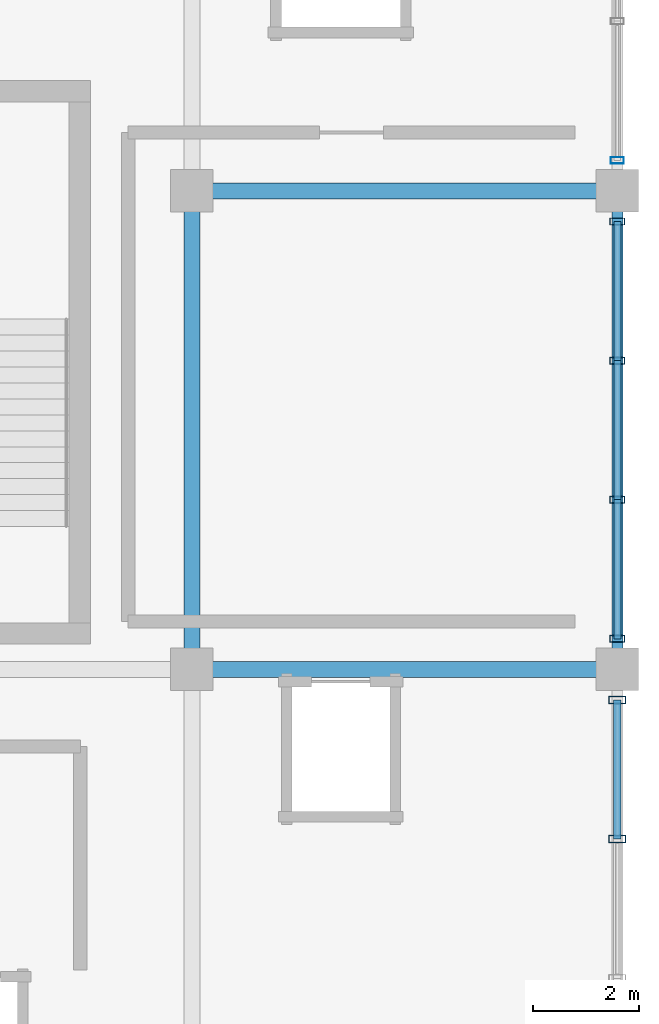
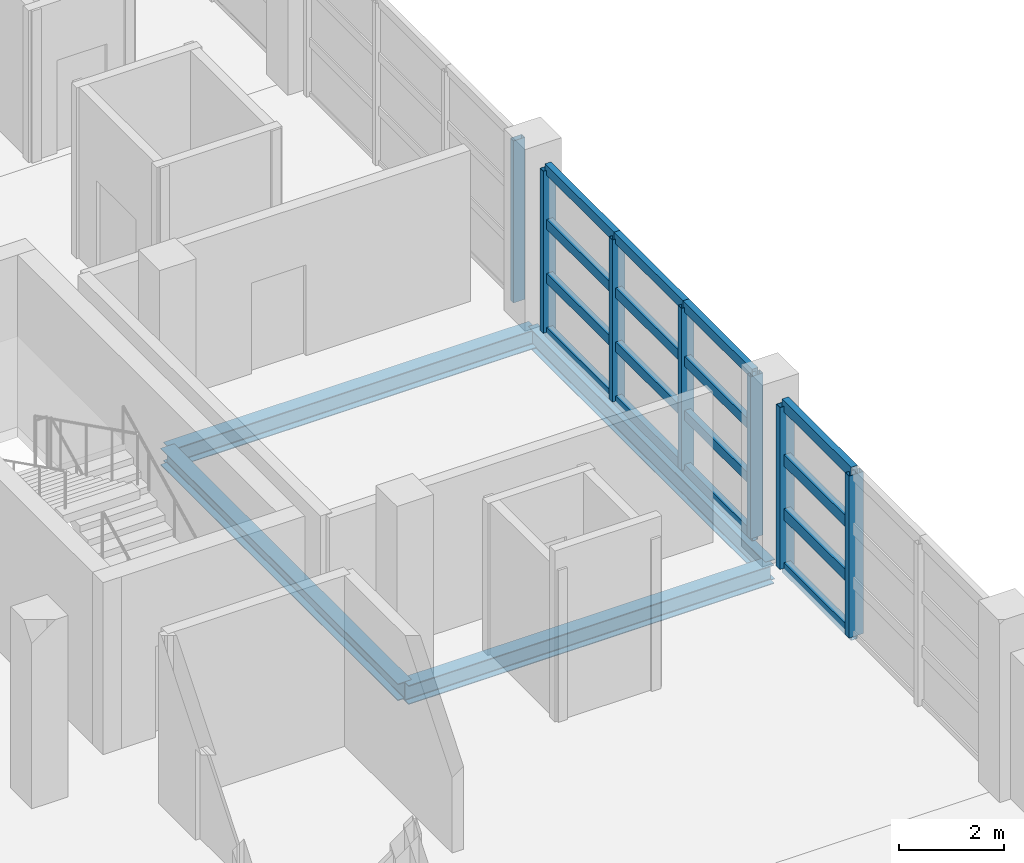
# One storey, part 85 of 136: 23 members, 4 beams, 3 elements without a shape of their own.
"""IFC4 building model written with IfcOpenShell, lengths in metres."""

from ifc_helpers import new_model, si_unit, direction, frame, origin, origin_2d, place, context, subcontext, project, spatial, hollow_rectangle, i_section, extrude, material, material_profile, profile_set, type_object, element, aggregate, save


model = new_model("IFC4")

# Units and contexts
model_context = context("Model", 3, precision=1e-05, world=origin(), true_north=direction((0.0, 1.0)))
body_context = subcontext(model_context, "Body", "Model", "MODEL_VIEW")
ifc_project = project(units=[si_unit("LENGTHUNIT", "METRE"), si_unit("AREAUNIT", "SQUARE_METRE"), si_unit("VOLUMEUNIT", "CUBIC_METRE"), si_unit("PLANEANGLEUNIT", "RADIAN"), si_unit("MASSUNIT", "GRAM", prefix="KILO")], contexts=[model_context])

# Site, building, storey
site_placement = place(None, origin())
site = spatial("IfcSite", under=ifc_project, at=site_placement, CompositionType="ELEMENT")
building_placement = place(site_placement, origin())
building = spatial("IfcBuilding", under=site, at=building_placement, Name="Chuanluo Vaults Station", CompositionType="ELEMENT")
storey_placement = place(building_placement, frame((0.0, 0.0, 6.60009765625)))
storey = spatial("IfcBuildingStorey", under=building, at=storey_placement, Name="L01", CompositionType="ELEMENT", Elevation=6.60009765625)

# Beams
ifc_material_1 = material(Name="Steel Q355C", Category="steel")
ifc_material_profile_1 = material_profile(ifc_material_1, i_section(OverallWidth=0.300048828125, OverallDepth=0.389892578125, WebThickness=0.010009765625, FlangeThickness=0.01611328125, FilletRadius=0.02001953125, at=origin_2d()))
ifc_profile_set_1 = profile_set([ifc_material_profile_1], Name="Steel Q355C")
beam_type_1 = type_object("IfcBeamType", Name="BM-GRD-400", PredefinedType="BEAM", material=ifc_profile_set_1)
beam_1_placement = place(storey_placement, frame((180.0, 85.5, -0.43505859375), z_axis=(0.0, 1.0, 0.0), x_axis=(-1.0, 0.0, 0.0)))
element("IfcBeam", 1, at=beam_1_placement, inside=storey, type_object=beam_type_1, Name="Floor girder BM:GY:L01:0519", PredefinedType="BEAM", context=body_context, shape_type="SweptSolid", body=[
    extrude(i_section(OverallWidth=0.300048828125, OverallDepth=0.389892578125, WebThickness=0.010009765625, FlangeThickness=0.01611328125, FilletRadius=0.02001953125, at=origin_2d()), origin(), (0.0, 0.0, 1.0), 9.0),
])
ifc_material_2 = material(Name="Steel Q355C", Category="steel")
ifc_material_profile_2 = material_profile(ifc_material_2, i_section(OverallWidth=0.300048828125, OverallDepth=0.43994140625, WebThickness=0.010986328125, FlangeThickness=0.01806640625, FilletRadius=0.02001953125, at=origin_2d()))
ifc_profile_set_2 = profile_set([ifc_material_profile_2], Name="Steel Q355C")
beam_type_2 = type_object("IfcBeamType", Name="BM-GRD-450", PredefinedType="USERDEFINED", material=ifc_profile_set_2)
for number, where, z_axis, x_axis, name in (
    (2, (180.0, 85.5, -0.460205078125), (1.0, 0.0, 0.0), (0.0, 1.0, 0.0), "Floor girder BM:GX:L01:0356"),
    (3, (180.0, 94.5, -0.460205078125), (1.0, 0.0, 0.0), (0.0, 1.0, 0.0), "Floor girder BM:GX:L01:0361"),
):
    element("IfcBeam", number, at=place(storey_placement, frame(where, z_axis=z_axis, x_axis=x_axis)), inside=storey, type_object=beam_type_2, Name=name, ObjectType="GIRDER", PredefinedType="USERDEFINED", context=body_context, shape_type="SweptSolid", body=[
        extrude(i_section(OverallWidth=0.300048828125, OverallDepth=0.43994140625, WebThickness=0.010986328125, FlangeThickness=0.01806640625, FilletRadius=0.02001953125, at=origin_2d()), origin(), (0.0, 0.0, 1.0), 8.0),
    ])
ifc_material_3 = material(Name="Steel Q355C", Category="steel")
ifc_material_profile_3 = material_profile(ifc_material_3, i_section(OverallWidth=0.205078125, OverallDepth=0.4599609375, WebThickness=0.009033203125, FlangeThickness=0.013916015625, FilletRadius=0.01611328125, at=origin_2d()))
ifc_profile_set_3 = profile_set([ifc_material_profile_3], Name="Steel Q355C")
beam_type_3 = type_object("IfcBeamType", Name="BM-SPN-450", PredefinedType="SPANDREL", material=ifc_profile_set_3)
beam_2_placement = place(storey_placement, frame((188.0, 85.5, -0.47021484375), z_axis=(0.0, 1.0, 0.0), x_axis=(-1.0, 0.0, 0.0)))
element("IfcBeam", 4, at=beam_2_placement, inside=storey, type_object=beam_type_3, Name="Floor girder BM:GY:L01:0531", PredefinedType="SPANDREL", context=body_context, shape_type="SweptSolid", body=[
    extrude(i_section(OverallWidth=0.205078125, OverallDepth=0.4599609375, WebThickness=0.009033203125, FlangeThickness=0.013916015625, FilletRadius=0.01611328125, at=origin_2d()), origin(), (0.0, 0.0, 1.0), 9.0),
])

# Curtain wall, member
ifc_material_4 = material(Name="Anodised aluminium 6063-T6", Category="aluminium")
curtain_wall_type_1 = type_object("IfcCurtainWallType", Name="CW-SYS-27", PredefinedType="NOTDEFINED", material=ifc_material_4)
curtain_wall_1_placement = place(storey_placement, origin())
curtain_wall_1 = element("IfcCurtainWall", 5, at=curtain_wall_1_placement, inside=storey, type_object=curtain_wall_type_1, Name="Operations L01 facade CW", PredefinedType="NOTDEFINED")
ifc_material_5 = material(Name="Anodised aluminium 6063-T6", Category="aluminium")
ifc_material_profile_4 = material_profile(ifc_material_5, hollow_rectangle(XDim=0.1201171875, YDim=0.25, WallThickness=0.006103515625, at=origin_2d()))
ifc_profile_set_4 = profile_set([ifc_material_profile_4], Name="Anodised aluminium 6063-T6")
member_type_1 = type_object("IfcMemberType", Name="CWM-160", PredefinedType="MULLION", material=ifc_profile_set_4)
member_1_placement = place(storey_placement, frame((188.0, 95.074951171875, 0.0), z_axis=(0.0, 0.0, 1.0), x_axis=(0.0, -1.0, 0.0)))
member_1 = element("IfcMember", 6, at=member_1_placement, type_object=member_type_1, Name="Operations L01 facade CW mullion 4", PredefinedType="MULLION", context=body_context, shape_type="SweptSolid", body=[
    extrude(hollow_rectangle(XDim=0.1201171875, YDim=0.25, WallThickness=0.006103515625, at=origin_2d()), origin(), (0.0, 0.0, 1.0), 3.75),
])
aggregate(curtain_wall_1, [member_1])

# Curtain wall, members
ifc_material_6 = material(Name="Anodised aluminium 6063-T6", Category="aluminium")
curtain_wall_type_2 = type_object("IfcCurtainWallType", Name="CW-SYS-26", PredefinedType="NOTDEFINED", material=ifc_material_6)
curtain_wall_2_placement = place(storey_placement, origin())
curtain_wall_2 = element("IfcCurtainWall", 7, at=curtain_wall_2_placement, inside=storey, type_object=curtain_wall_type_2, Name="Operations L01 facade CW", PredefinedType="NOTDEFINED")
ifc_material_7 = material(Name="Anodised aluminium 6063-T6", Category="aluminium")
ifc_material_profile_5 = material_profile(ifc_material_7, hollow_rectangle(XDim=0.1298828125, YDim=0.280029296875, WallThickness=0.007080078125, at=origin_2d()))
ifc_profile_set_5 = profile_set([ifc_material_profile_5], Name="Anodised aluminium 6063-T6")
member_type_2 = type_object("IfcMemberType", Name="CWM-180", PredefinedType="MULLION", material=ifc_profile_set_5)
member_2_placement = place(storey_placement, frame((188.0, 93.925048828125, 0.0), z_axis=(0.0, 0.0, 1.0), x_axis=(0.0, -1.0, 0.0)))
member_2 = element("IfcMember", 8, at=member_2_placement, type_object=member_type_2, Name="Operations L01 facade CW mullion 1", PredefinedType="MULLION", context=body_context, shape_type="SweptSolid", body=[
    extrude(hollow_rectangle(XDim=0.1298828125, YDim=0.280029296875, WallThickness=0.007080078125, at=origin_2d()), origin(), (0.0, 0.0, 1.0), 3.75),
])
member_3_placement = place(storey_placement, frame((188.0, 91.308349609375, 0.0), z_axis=(0.0, 0.0, 1.0), x_axis=(0.0, -1.0, 0.0)))
member_3 = element("IfcMember", 9, at=member_3_placement, type_object=member_type_2, Name="Operations L01 facade CW mullion 2", PredefinedType="MULLION", context=body_context, shape_type="SweptSolid", body=[
    extrude(hollow_rectangle(XDim=0.1298828125, YDim=0.280029296875, WallThickness=0.007080078125, at=origin_2d()), origin(), (0.0, 0.0, 1.0), 3.75),
])
member_4_placement = place(storey_placement, frame((188.0, 88.691650390625, 0.0), z_axis=(0.0, 0.0, 1.0), x_axis=(0.0, -1.0, 0.0)))
member_4 = element("IfcMember", 10, at=member_4_placement, type_object=member_type_2, Name="Operations L01 facade CW mullion 3", PredefinedType="MULLION", context=body_context, shape_type="SweptSolid", body=[
    extrude(hollow_rectangle(XDim=0.1298828125, YDim=0.280029296875, WallThickness=0.007080078125, at=origin_2d()), origin(), (0.0, 0.0, 1.0), 3.75),
])
member_5_placement = place(storey_placement, frame((188.0, 86.074951171875, 0.0), z_axis=(0.0, 0.0, 1.0), x_axis=(0.0, -1.0, 0.0)))
member_5 = element("IfcMember", 11, at=member_5_placement, type_object=member_type_2, Name="Operations L01 facade CW mullion 4", PredefinedType="MULLION", context=body_context, shape_type="SweptSolid", body=[
    extrude(hollow_rectangle(XDim=0.1298828125, YDim=0.280029296875, WallThickness=0.007080078125, at=origin_2d()), origin(), (0.0, 0.0, 1.0), 3.75),
])

ifc_material_8 = material(Name="Anodised aluminium 6063-T6", Category="aluminium")
curtain_wall_type_3 = type_object("IfcCurtainWallType", Name="CW-SYS-25", PredefinedType="NOTDEFINED", material=ifc_material_8)
curtain_wall_3_placement = place(storey_placement, origin())
curtain_wall_3 = element("IfcCurtainWall", 12, at=curtain_wall_3_placement, inside=storey, type_object=curtain_wall_type_3, Name="Operations L01 facade CW", PredefinedType="NOTDEFINED")
ifc_material_9 = material(Name="Anodised aluminium 6063-T6", Category="aluminium")
ifc_material_profile_6 = material_profile(ifc_material_9, hollow_rectangle(XDim=0.139892578125, YDim=0.320068359375, WallThickness=0.008056640625, at=origin_2d()))
ifc_profile_set_6 = profile_set([ifc_material_profile_6], Name="Anodised aluminium 6063-T6")
member_type_3 = type_object("IfcMemberType", Name="CWM-220", PredefinedType="MULLION", material=ifc_profile_set_6)
member_6_placement = place(storey_placement, frame((188.0, 84.925048828125, 0.0), z_axis=(0.0, 0.0, 1.0), x_axis=(0.0, -1.0, 0.0)))
member_6 = element("IfcMember", 13, at=member_6_placement, type_object=member_type_3, Name="Operations L01 facade CW mullion 1", PredefinedType="MULLION", context=body_context, shape_type="SweptSolid", body=[
    extrude(hollow_rectangle(XDim=0.139892578125, YDim=0.320068359375, WallThickness=0.008056640625, at=origin_2d()), origin(), (0.0, 0.0, 1.0), 3.75),
])
member_7_placement = place(storey_placement, frame((188.0, 82.308349609375, 0.0), z_axis=(0.0, 0.0, 1.0), x_axis=(0.0, -1.0, 0.0)))
member_7 = element("IfcMember", 14, at=member_7_placement, type_object=member_type_3, Name="Operations L01 facade CW mullion 2", PredefinedType="MULLION", context=body_context, shape_type="SweptSolid", body=[
    extrude(hollow_rectangle(XDim=0.139892578125, YDim=0.320068359375, WallThickness=0.008056640625, at=origin_2d()), origin(), (0.0, 0.0, 1.0), 3.75),
])

# Member
ifc_material_10 = material(Name="Anodised aluminium 6063-T6", Category="aluminium")
ifc_material_profile_7 = material_profile(ifc_material_10, hollow_rectangle(XDim=0.1298828125, YDim=0.22998046875, WallThickness=0.006103515625, at=origin_2d()))
ifc_profile_set_7 = profile_set([ifc_material_profile_7], Name="Anodised aluminium 6063-T6")
member_type_4 = type_object("IfcMemberType", Name="CWT-150", PredefinedType="USERDEFINED", material=ifc_profile_set_7)
member_8_placement = place(storey_placement, frame((188.0, 93.925048828125, 0.0), z_axis=(0.0, -1.0, 0.0), x_axis=(1.0, 0.0, 0.0)))
member_8 = element("IfcMember", 15, at=member_8_placement, type_object=member_type_4, Name="Operations L01 facade CW transom 1.1", ObjectType="TRANSOM", PredefinedType="USERDEFINED", context=body_context, shape_type="SweptSolid", body=[
    extrude(hollow_rectangle(XDim=0.1298828125, YDim=0.22998046875, WallThickness=0.006103515625, at=origin_2d()), origin(), (0.0, 0.0, 1.0), 2.61669921875),
])

member_9_placement = place(storey_placement, frame((188.0, 93.925048828125, 1.25), z_axis=(0.0, -1.0, 0.0), x_axis=(1.0, 0.0, 0.0)))
member_9 = element("IfcMember", 16, at=member_9_placement, type_object=member_type_4, Name="Operations L01 facade CW transom 1.2", ObjectType="TRANSOM", PredefinedType="USERDEFINED", context=body_context, shape_type="SweptSolid", body=[
    extrude(hollow_rectangle(XDim=0.1298828125, YDim=0.22998046875, WallThickness=0.006103515625, at=origin_2d()), origin(), (0.0, 0.0, 1.0), 2.61669921875),
])

member_10_placement = place(storey_placement, frame((188.0, 93.925048828125, 2.5), z_axis=(0.0, -1.0, 0.0), x_axis=(1.0, 0.0, 0.0)))
member_10 = element("IfcMember", 17, at=member_10_placement, type_object=member_type_4, Name="Operations L01 facade CW transom 1.3", ObjectType="TRANSOM", PredefinedType="USERDEFINED", context=body_context, shape_type="SweptSolid", body=[
    extrude(hollow_rectangle(XDim=0.1298828125, YDim=0.22998046875, WallThickness=0.006103515625, at=origin_2d()), origin(), (0.0, 0.0, 1.0), 2.61669921875),
])

member_11_placement = place(storey_placement, frame((188.0, 93.925048828125, 3.75), z_axis=(0.0, -1.0, 0.0), x_axis=(1.0, 0.0, 0.0)))
member_11 = element("IfcMember", 18, at=member_11_placement, type_object=member_type_4, Name="Operations L01 facade CW transom 1.4", ObjectType="TRANSOM", PredefinedType="USERDEFINED", context=body_context, shape_type="SweptSolid", body=[
    extrude(hollow_rectangle(XDim=0.1298828125, YDim=0.22998046875, WallThickness=0.006103515625, at=origin_2d()), origin(), (0.0, 0.0, 1.0), 2.61669921875),
])

member_12_placement = place(storey_placement, frame((188.0, 91.308349609375, 0.0), z_axis=(0.0, -1.0, 0.0), x_axis=(1.0, 0.0, 0.0)))
member_12 = element("IfcMember", 19, at=member_12_placement, type_object=member_type_4, Name="Operations L01 facade CW transom 2.1", ObjectType="TRANSOM", PredefinedType="USERDEFINED", context=body_context, shape_type="SweptSolid", body=[
    extrude(hollow_rectangle(XDim=0.1298828125, YDim=0.22998046875, WallThickness=0.006103515625, at=origin_2d()), origin(), (0.0, 0.0, 1.0), 2.61669921875),
])

member_13_placement = place(storey_placement, frame((188.0, 91.308349609375, 1.25), z_axis=(0.0, -1.0, 0.0), x_axis=(1.0, 0.0, 0.0)))
member_13 = element("IfcMember", 20, at=member_13_placement, type_object=member_type_4, Name="Operations L01 facade CW transom 2.2", ObjectType="TRANSOM", PredefinedType="USERDEFINED", context=body_context, shape_type="SweptSolid", body=[
    extrude(hollow_rectangle(XDim=0.1298828125, YDim=0.22998046875, WallThickness=0.006103515625, at=origin_2d()), origin(), (0.0, 0.0, 1.0), 2.61669921875),
])

member_14_placement = place(storey_placement, frame((188.0, 91.308349609375, 2.5), z_axis=(0.0, -1.0, 0.0), x_axis=(1.0, 0.0, 0.0)))
member_14 = element("IfcMember", 21, at=member_14_placement, type_object=member_type_4, Name="Operations L01 facade CW transom 2.3", ObjectType="TRANSOM", PredefinedType="USERDEFINED", context=body_context, shape_type="SweptSolid", body=[
    extrude(hollow_rectangle(XDim=0.1298828125, YDim=0.22998046875, WallThickness=0.006103515625, at=origin_2d()), origin(), (0.0, 0.0, 1.0), 2.61669921875),
])

member_15_placement = place(storey_placement, frame((188.0, 91.308349609375, 3.75), z_axis=(0.0, -1.0, 0.0), x_axis=(1.0, 0.0, 0.0)))
member_15 = element("IfcMember", 22, at=member_15_placement, type_object=member_type_4, Name="Operations L01 facade CW transom 2.4", ObjectType="TRANSOM", PredefinedType="USERDEFINED", context=body_context, shape_type="SweptSolid", body=[
    extrude(hollow_rectangle(XDim=0.1298828125, YDim=0.22998046875, WallThickness=0.006103515625, at=origin_2d()), origin(), (0.0, 0.0, 1.0), 2.61669921875),
])

member_16_placement = place(storey_placement, frame((188.0, 88.691650390625, 0.0), z_axis=(0.0, -1.0, 0.0), x_axis=(1.0, 0.0, 0.0)))
member_16 = element("IfcMember", 23, at=member_16_placement, type_object=member_type_4, Name="Operations L01 facade CW transom 3.1", ObjectType="TRANSOM", PredefinedType="USERDEFINED", context=body_context, shape_type="SweptSolid", body=[
    extrude(hollow_rectangle(XDim=0.1298828125, YDim=0.22998046875, WallThickness=0.006103515625, at=origin_2d()), origin(), (0.0, 0.0, 1.0), 2.61669921875),
])

member_17_placement = place(storey_placement, frame((188.0, 88.691650390625, 1.25), z_axis=(0.0, -1.0, 0.0), x_axis=(1.0, 0.0, 0.0)))
member_17 = element("IfcMember", 24, at=member_17_placement, type_object=member_type_4, Name="Operations L01 facade CW transom 3.2", ObjectType="TRANSOM", PredefinedType="USERDEFINED", context=body_context, shape_type="SweptSolid", body=[
    extrude(hollow_rectangle(XDim=0.1298828125, YDim=0.22998046875, WallThickness=0.006103515625, at=origin_2d()), origin(), (0.0, 0.0, 1.0), 2.61669921875),
])

member_18_placement = place(storey_placement, frame((188.0, 88.691650390625, 2.5), z_axis=(0.0, -1.0, 0.0), x_axis=(1.0, 0.0, 0.0)))
member_18 = element("IfcMember", 25, at=member_18_placement, type_object=member_type_4, Name="Operations L01 facade CW transom 3.3", ObjectType="TRANSOM", PredefinedType="USERDEFINED", context=body_context, shape_type="SweptSolid", body=[
    extrude(hollow_rectangle(XDim=0.1298828125, YDim=0.22998046875, WallThickness=0.006103515625, at=origin_2d()), origin(), (0.0, 0.0, 1.0), 2.61669921875),
])

member_19_placement = place(storey_placement, frame((188.0, 88.691650390625, 3.75), z_axis=(0.0, -1.0, 0.0), x_axis=(1.0, 0.0, 0.0)))
member_19 = element("IfcMember", 26, at=member_19_placement, type_object=member_type_4, Name="Operations L01 facade CW transom 3.4", ObjectType="TRANSOM", PredefinedType="USERDEFINED", context=body_context, shape_type="SweptSolid", body=[
    extrude(hollow_rectangle(XDim=0.1298828125, YDim=0.22998046875, WallThickness=0.006103515625, at=origin_2d()), origin(), (0.0, 0.0, 1.0), 2.61669921875),
])

aggregate(curtain_wall_2, [member_2, member_3, member_4, member_5, member_8, member_9, member_10, member_11, member_12, member_13, member_14, member_15, member_16, member_17, member_18, member_19])

ifc_material_11 = material(Name="Anodised aluminium 6063-T6", Category="aluminium")
ifc_material_profile_8 = material_profile(ifc_material_11, hollow_rectangle(XDim=0.139892578125, YDim=0.260009765625, WallThickness=0.007080078125, at=origin_2d()))
ifc_profile_set_8 = profile_set([ifc_material_profile_8], Name="Anodised aluminium 6063-T6")
member_type_5 = type_object("IfcMemberType", Name="CWT-180", PredefinedType="USERDEFINED", material=ifc_profile_set_8)
member_20_placement = place(storey_placement, frame((188.0, 84.925048828125, 0.0), z_axis=(0.0, -1.0, 0.0), x_axis=(1.0, 0.0, 0.0)))
member_20 = element("IfcMember", 27, at=member_20_placement, type_object=member_type_5, Name="Operations L01 facade CW transom 1.1", ObjectType="TRANSOM", PredefinedType="USERDEFINED", context=body_context, shape_type="SweptSolid", body=[
    extrude(hollow_rectangle(XDim=0.139892578125, YDim=0.260009765625, WallThickness=0.007080078125, at=origin_2d()), origin(), (0.0, 0.0, 1.0), 2.61669921875),
])

member_21_placement = place(storey_placement, frame((188.0, 84.925048828125, 1.25), z_axis=(0.0, -1.0, 0.0), x_axis=(1.0, 0.0, 0.0)))
member_21 = element("IfcMember", 28, at=member_21_placement, type_object=member_type_5, Name="Operations L01 facade CW transom 1.2", ObjectType="TRANSOM", PredefinedType="USERDEFINED", context=body_context, shape_type="SweptSolid", body=[
    extrude(hollow_rectangle(XDim=0.139892578125, YDim=0.260009765625, WallThickness=0.007080078125, at=origin_2d()), origin(), (0.0, 0.0, 1.0), 2.61669921875),
])

member_22_placement = place(storey_placement, frame((188.0, 84.925048828125, 2.5), z_axis=(0.0, -1.0, 0.0), x_axis=(1.0, 0.0, 0.0)))
member_22 = element("IfcMember", 29, at=member_22_placement, type_object=member_type_5, Name="Operations L01 facade CW transom 1.3", ObjectType="TRANSOM", PredefinedType="USERDEFINED", context=body_context, shape_type="SweptSolid", body=[
    extrude(hollow_rectangle(XDim=0.139892578125, YDim=0.260009765625, WallThickness=0.007080078125, at=origin_2d()), origin(), (0.0, 0.0, 1.0), 2.61669921875),
])

member_23_placement = place(storey_placement, frame((188.0, 84.925048828125, 3.75), z_axis=(0.0, -1.0, 0.0), x_axis=(1.0, 0.0, 0.0)))
member_23 = element("IfcMember", 30, at=member_23_placement, type_object=member_type_5, Name="Operations L01 facade CW transom 1.4", ObjectType="TRANSOM", PredefinedType="USERDEFINED", context=body_context, shape_type="SweptSolid", body=[
    extrude(hollow_rectangle(XDim=0.139892578125, YDim=0.260009765625, WallThickness=0.007080078125, at=origin_2d()), origin(), (0.0, 0.0, 1.0), 2.61669921875),
])

aggregate(curtain_wall_3, [member_6, member_7, member_20, member_21, member_22, member_23])

save(model, "model.ifc")
